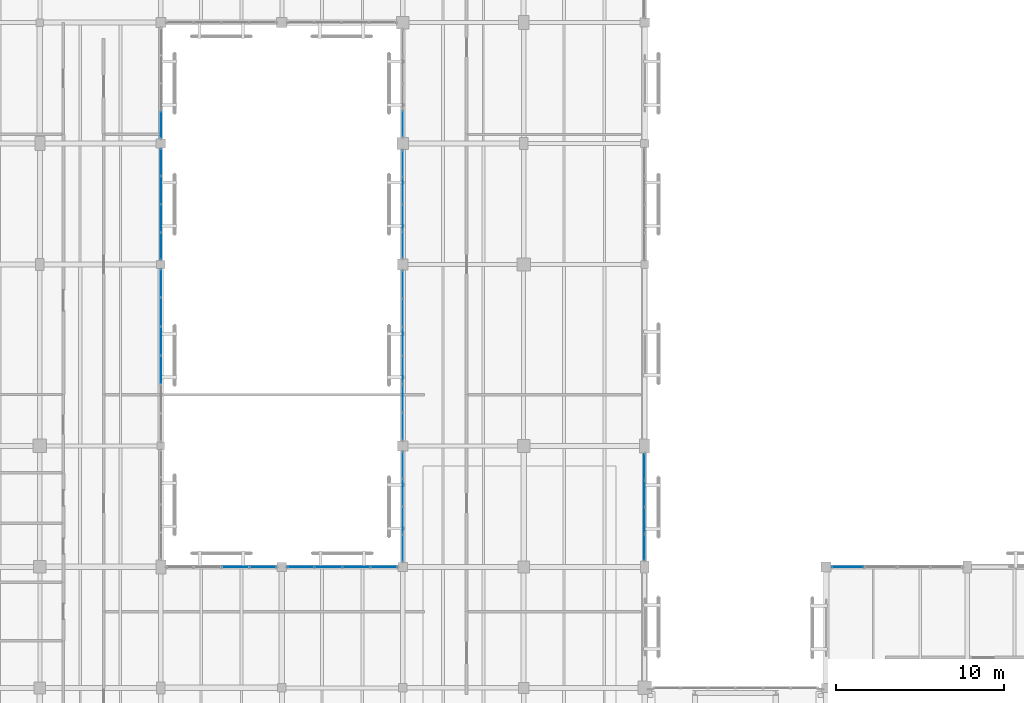
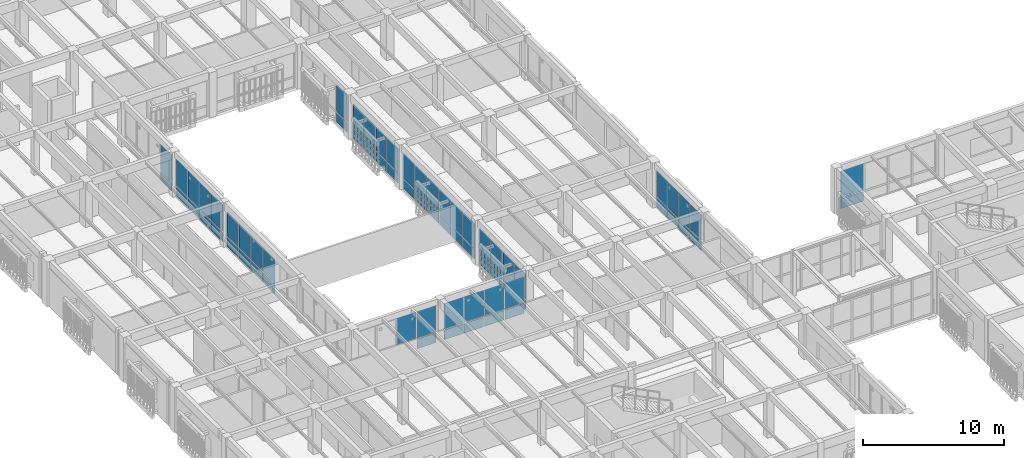
# One storey, part 117 of 170: 69 plates, 11 elements without a shape of their own.
"""IFC4 building model written with IfcOpenShell, lengths in metres."""

from ifc_helpers import new_model, si_unit, direction, frame, origin, origin_2d, place, context, subcontext, project, spatial, rectangle, extrude, material, layer, layer_set, type_object, element, aggregate, save


model = new_model("IFC4")

# Units and contexts
model_context = context("Model", 3, precision=1e-05, world=origin(), true_north=direction((0.0, 1.0)))
body_context = subcontext(model_context, "Body", "Model", "MODEL_VIEW")
ifc_project = project(units=[si_unit("LENGTHUNIT", "METRE"), si_unit("AREAUNIT", "SQUARE_METRE"), si_unit("VOLUMEUNIT", "CUBIC_METRE"), si_unit("PLANEANGLEUNIT", "RADIAN"), si_unit("MASSUNIT", "GRAM", prefix="KILO")], contexts=[model_context])

# Site, building, storey
site_placement = place(None, origin())
site = spatial("IfcSite", under=ifc_project, at=site_placement, CompositionType="ELEMENT")
building_placement = place(site_placement, origin())
building = spatial("IfcBuilding", under=site, at=building_placement, Name="Mazaris Harbour Polytechnic", CompositionType="ELEMENT")
storey_placement = place(building_placement, frame((0.0, 0.0, 5.39990234375)))
storey = spatial("IfcBuildingStorey", under=building, at=storey_placement, Name="L01", CompositionType="ELEMENT", Elevation=5.39990234375)

# Curtain wall, plates
ifc_material_1 = material(Name="Anodised Bronze Aluminium and Low-E Glass", Category="aluminium")
ifc_layer_1 = layer(ifc_material_1, 0.159912109375, Name="Anodised Bronze Aluminium and Low-E Glass")
ifc_layer_set_1 = layer_set([ifc_layer_1], Name="Anodised Bronze Aluminium and Low-E Glass")
curtain_wall_type = type_object("IfcCurtainWallType", Name="Cloister Court Curtain Wall", PredefinedType="NOTDEFINED", material=ifc_layer_set_1)
curtain_wall_1_placement = place(storey_placement, origin())
curtain_wall_1 = element("IfcCurtainWall", 1, at=curtain_wall_1_placement, inside=storey, type_object=curtain_wall_type, Name="V3 L01 Curtain Wall 75", PredefinedType="NOTDEFINED")
ifc_material_2 = material(Name="Low-E Double Glazing", Category="glass")
ifc_layer_2 = layer(ifc_material_2, 0.028076171875, Name="Low-E Double Glazing")
ifc_layer_set_2 = layer_set([ifc_layer_2], Name="Low-E Double Glazing")
plate_type = type_object("IfcPlateType", Name="Low-E Vision Glass Panel 28", PredefinedType="CURTAIN_PANEL", material=ifc_layer_set_2)
plate_1_placement = place(storey_placement, frame((55.295166015625, 36.0, 0.080078125), z_axis=(0.0, 0.0, 1.0), x_axis=(1.0, 0.0, 0.0)))
plate_1 = element("IfcPlate", 2, at=plate_1_placement, type_object=plate_type, Name="CW-02 panel 1.1", PredefinedType="CURTAIN_PANEL", context=body_context, shape_type="SweptSolid", body=[
    extrude(rectangle(XDim=1.846435546875, YDim=0.028076171875, at=origin_2d()), origin(), (0.0, 0.0, 1.0), 0.830078125),
])
plate_2_placement = place(storey_placement, frame((55.295166015625, 36.0, 0.990234375), z_axis=(0.0, 0.0, 1.0), x_axis=(1.0, 0.0, 0.0)))
plate_2 = element("IfcPlate", 3, at=plate_2_placement, type_object=plate_type, Name="CW-02 panel 1.2", PredefinedType="CURTAIN_PANEL", context=body_context, shape_type="SweptSolid", body=[
    extrude(rectangle(XDim=1.846435546875, YDim=0.028076171875, at=origin_2d()), origin(), (0.0, 0.0, 1.0), 2.320068359375),
])
aggregate(curtain_wall_1, [plate_1, plate_2])

curtain_wall_2_placement = place(storey_placement, origin())
curtain_wall_2 = element("IfcCurtainWall", 4, at=curtain_wall_2_placement, inside=storey, type_object=curtain_wall_type, Name="V4 L01 Curtain Wall 112", PredefinedType="NOTDEFINED")
plate_3_placement = place(storey_placement, frame((43.199951171875, 41.957763671875, 0.080078125), z_axis=(0.0, 0.0, 1.0), x_axis=(0.0, -1.0, 0.0)))
plate_3 = element("IfcPlate", 5, at=plate_3_placement, type_object=plate_type, Name="CW-02 panel 1.1", PredefinedType="CURTAIN_PANEL", context=body_context, shape_type="SweptSolid", body=[
    extrude(rectangle(XDim=1.490234375, YDim=0.028076171875, at=origin_2d()), origin(), (0.0, 0.0, 1.0), 0.830078125),
])
plate_4_placement = place(storey_placement, frame((43.199951171875, 41.957763671875, 0.989990234375), z_axis=(0.0, 0.0, 1.0), x_axis=(0.0, -1.0, 0.0)))
plate_4 = element("IfcPlate", 6, at=plate_4_placement, type_object=plate_type, Name="CW-02 panel 1.2", PredefinedType="CURTAIN_PANEL", context=body_context, shape_type="SweptSolid", body=[
    extrude(rectangle(XDim=1.490234375, YDim=0.028076171875, at=origin_2d()), origin(), (0.0, 0.0, 1.0), 2.22998046875),
])
plate_5_placement = place(storey_placement, frame((43.199951171875, 40.36767578125, 0.080078125), z_axis=(0.0, 0.0, 1.0), x_axis=(0.0, -1.0, 0.0)))
plate_5 = element("IfcPlate", 7, at=plate_5_placement, type_object=plate_type, Name="CW-02 panel 2.1", PredefinedType="CURTAIN_PANEL", context=body_context, shape_type="SweptSolid", body=[
    extrude(rectangle(XDim=1.5302734375, YDim=0.028076171875, at=origin_2d()), origin(), (0.0, 0.0, 1.0), 0.830078125),
])
plate_6_placement = place(storey_placement, frame((43.199951171875, 40.36767578125, 0.989990234375), z_axis=(0.0, 0.0, 1.0), x_axis=(0.0, -1.0, 0.0)))
plate_6 = element("IfcPlate", 8, at=plate_6_placement, type_object=plate_type, Name="CW-02 panel 2.2", PredefinedType="CURTAIN_PANEL", context=body_context, shape_type="SweptSolid", body=[
    extrude(rectangle(XDim=1.5302734375, YDim=0.028076171875, at=origin_2d()), origin(), (0.0, 0.0, 1.0), 2.22998046875),
])
plate_7_placement = place(storey_placement, frame((43.199951171875, 38.75732421875, 0.080078125), z_axis=(0.0, 0.0, 1.0), x_axis=(0.0, -1.0, 0.0)))
plate_7 = element("IfcPlate", 9, at=plate_7_placement, type_object=plate_type, Name="CW-02 panel 3.1", PredefinedType="CURTAIN_PANEL", context=body_context, shape_type="SweptSolid", body=[
    extrude(rectangle(XDim=1.5302734375, YDim=0.028076171875, at=origin_2d()), origin(), (0.0, 0.0, 1.0), 0.830078125),
])
plate_8_placement = place(storey_placement, frame((43.199951171875, 38.75732421875, 0.989990234375), z_axis=(0.0, 0.0, 1.0), x_axis=(0.0, -1.0, 0.0)))
plate_8 = element("IfcPlate", 10, at=plate_8_placement, type_object=plate_type, Name="CW-02 panel 3.2", PredefinedType="CURTAIN_PANEL", context=body_context, shape_type="SweptSolid", body=[
    extrude(rectangle(XDim=1.5302734375, YDim=0.028076171875, at=origin_2d()), origin(), (0.0, 0.0, 1.0), 2.22998046875),
])
plate_9_placement = place(storey_placement, frame((43.199951171875, 37.167236328125, 0.080078125), z_axis=(0.0, 0.0, 1.0), x_axis=(0.0, -1.0, 0.0)))
plate_9 = element("IfcPlate", 11, at=plate_9_placement, type_object=plate_type, Name="CW-02 panel 4.1", PredefinedType="CURTAIN_PANEL", context=body_context, shape_type="SweptSolid", body=[
    extrude(rectangle(XDim=1.490234375, YDim=0.028076171875, at=origin_2d()), origin(), (0.0, 0.0, 1.0), 0.830078125),
])
plate_10_placement = place(storey_placement, frame((43.199951171875, 37.167236328125, 0.989990234375), z_axis=(0.0, 0.0, 1.0), x_axis=(0.0, -1.0, 0.0)))
plate_10 = element("IfcPlate", 12, at=plate_10_placement, type_object=plate_type, Name="CW-02 panel 4.2", PredefinedType="CURTAIN_PANEL", context=body_context, shape_type="SweptSolid", body=[
    extrude(rectangle(XDim=1.490234375, YDim=0.028076171875, at=origin_2d()), origin(), (0.0, 0.0, 1.0), 2.22998046875),
])
aggregate(curtain_wall_2, [plate_3, plate_4, plate_5, plate_6, plate_7, plate_8, plate_9, plate_10])

curtain_wall_3_placement = place(storey_placement, origin())
curtain_wall_3 = element("IfcCurtainWall", 13, at=curtain_wall_3_placement, inside=storey, type_object=curtain_wall_type, Name="V4 L01 Curtain Wall 116", PredefinedType="NOTDEFINED")
plate_11_placement = place(storey_placement, frame((18.842529296875, 36.0, 0.989990234375), z_axis=(0.0, 0.0, 1.0), x_axis=(1.0, 0.0, 0.0)))
plate_11 = element("IfcPlate", 14, at=plate_11_placement, type_object=plate_type, Name="CW-02 panel 3.2", PredefinedType="CURTAIN_PANEL", context=body_context, shape_type="SweptSolid", body=[
    extrude(rectangle(XDim=1.580322265625, YDim=0.028076171875, at=origin_2d()), origin(), (0.0, 0.0, 1.0), 2.2900390625),
])
plate_12_placement = place(storey_placement, frame((20.48291015625, 36.0, 0.080078125), z_axis=(0.0, 0.0, 1.0), x_axis=(1.0, 0.0, 0.0)))
plate_12 = element("IfcPlate", 15, at=plate_12_placement, type_object=plate_type, Name="CW-02 panel 4.1", PredefinedType="CURTAIN_PANEL", context=body_context, shape_type="SweptSolid", body=[
    extrude(rectangle(XDim=1.540283203125, YDim=0.028076171875, at=origin_2d()), origin(), (0.0, 0.0, 1.0), 0.830078125),
])
plate_13_placement = place(storey_placement, frame((20.48291015625, 36.0, 0.989990234375), z_axis=(0.0, 0.0, 1.0), x_axis=(1.0, 0.0, 0.0)))
plate_13 = element("IfcPlate", 16, at=plate_13_placement, type_object=plate_type, Name="CW-02 panel 4.2", PredefinedType="CURTAIN_PANEL", context=body_context, shape_type="SweptSolid", body=[
    extrude(rectangle(XDim=1.540283203125, YDim=0.028076171875, at=origin_2d()), origin(), (0.0, 0.0, 1.0), 2.2900390625),
])
aggregate(curtain_wall_3, [plate_11, plate_12, plate_13])

curtain_wall_4_placement = place(storey_placement, origin())
curtain_wall_4 = element("IfcCurtainWall", 17, at=curtain_wall_4_placement, inside=storey, type_object=curtain_wall_type, Name="V4 L01 Curtain Wall 117", PredefinedType="NOTDEFINED")
plate_14_placement = place(storey_placement, frame((22.72021484375, 36.0, 0.080078125), z_axis=(0.0, 0.0, 1.0), x_axis=(1.0, 0.0, 0.0)))
plate_14 = element("IfcPlate", 18, at=plate_14_placement, type_object=plate_type, Name="CW-02 panel 1.1", PredefinedType="CURTAIN_PANEL", context=body_context, shape_type="SweptSolid", body=[
    extrude(rectangle(XDim=1.54638671875, YDim=0.028076171875, at=origin_2d()), origin(), (0.0, 0.0, 1.0), 0.830078125),
])
plate_15_placement = place(storey_placement, frame((22.72021484375, 36.0, 0.989990234375), z_axis=(0.0, 0.0, 1.0), x_axis=(1.0, 0.0, 0.0)))
plate_15 = element("IfcPlate", 19, at=plate_15_placement, type_object=plate_type, Name="CW-02 panel 1.2", PredefinedType="CURTAIN_PANEL", context=body_context, shape_type="SweptSolid", body=[
    extrude(rectangle(XDim=1.54638671875, YDim=0.028076171875, at=origin_2d()), origin(), (0.0, 0.0, 1.0), 2.22998046875),
])
plate_16_placement = place(storey_placement, frame((24.36669921875, 36.0, 0.080078125), z_axis=(0.0, 0.0, 1.0), x_axis=(1.0, 0.0, 0.0)))
plate_16 = element("IfcPlate", 20, at=plate_16_placement, type_object=plate_type, Name="CW-02 panel 2.1", PredefinedType="CURTAIN_PANEL", context=body_context, shape_type="SweptSolid", body=[
    extrude(rectangle(XDim=1.58642578125, YDim=0.028076171875, at=origin_2d()), origin(), (0.0, 0.0, 1.0), 0.830078125),
])
plate_17_placement = place(storey_placement, frame((24.36669921875, 36.0, 0.989990234375), z_axis=(0.0, 0.0, 1.0), x_axis=(1.0, 0.0, 0.0)))
plate_17 = element("IfcPlate", 21, at=plate_17_placement, type_object=plate_type, Name="CW-02 panel 2.2", PredefinedType="CURTAIN_PANEL", context=body_context, shape_type="SweptSolid", body=[
    extrude(rectangle(XDim=1.58642578125, YDim=0.028076171875, at=origin_2d()), origin(), (0.0, 0.0, 1.0), 2.22998046875),
])
plate_18_placement = place(storey_placement, frame((26.033203125, 36.0, 0.080078125), z_axis=(0.0, 0.0, 1.0), x_axis=(1.0, 0.0, 0.0)))
plate_18 = element("IfcPlate", 22, at=plate_18_placement, type_object=plate_type, Name="CW-02 panel 3.1", PredefinedType="CURTAIN_PANEL", context=body_context, shape_type="SweptSolid", body=[
    extrude(rectangle(XDim=1.58642578125, YDim=0.028076171875, at=origin_2d()), origin(), (0.0, 0.0, 1.0), 0.830078125),
])
plate_19_placement = place(storey_placement, frame((26.033203125, 36.0, 0.989990234375), z_axis=(0.0, 0.0, 1.0), x_axis=(1.0, 0.0, 0.0)))
plate_19 = element("IfcPlate", 23, at=plate_19_placement, type_object=plate_type, Name="CW-02 panel 3.2", PredefinedType="CURTAIN_PANEL", context=body_context, shape_type="SweptSolid", body=[
    extrude(rectangle(XDim=1.58642578125, YDim=0.028076171875, at=origin_2d()), origin(), (0.0, 0.0, 1.0), 2.22998046875),
])
plate_20_placement = place(storey_placement, frame((27.6796875, 36.0, 0.080078125), z_axis=(0.0, 0.0, 1.0), x_axis=(1.0, 0.0, 0.0)))
plate_20 = element("IfcPlate", 24, at=plate_20_placement, type_object=plate_type, Name="CW-02 panel 4.1", PredefinedType="CURTAIN_PANEL", context=body_context, shape_type="SweptSolid", body=[
    extrude(rectangle(XDim=1.54638671875, YDim=0.028076171875, at=origin_2d()), origin(), (0.0, 0.0, 1.0), 0.830078125),
])
plate_21_placement = place(storey_placement, frame((27.6796875, 36.0, 0.989990234375), z_axis=(0.0, 0.0, 1.0), x_axis=(1.0, 0.0, 0.0)))
plate_21 = element("IfcPlate", 25, at=plate_21_placement, type_object=plate_type, Name="CW-02 panel 4.2", PredefinedType="CURTAIN_PANEL", context=body_context, shape_type="SweptSolid", body=[
    extrude(rectangle(XDim=1.54638671875, YDim=0.028076171875, at=origin_2d()), origin(), (0.0, 0.0, 1.0), 2.22998046875),
])
aggregate(curtain_wall_4, [plate_14, plate_15, plate_16, plate_17, plate_18, plate_19, plate_20, plate_21])

curtain_wall_5_placement = place(storey_placement, origin())
curtain_wall_5 = element("IfcCurtainWall", 26, at=curtain_wall_5_placement, inside=storey, type_object=curtain_wall_type, Name="V4 L01 Curtain Wall 121", PredefinedType="NOTDEFINED")
plate_22_placement = place(storey_placement, frame((14.39990234375, 47.725830078125, 0.080078125), z_axis=(0.0, 0.0, 1.0), x_axis=(0.0, 1.0, 0.0)))
plate_22 = element("IfcPlate", 27, at=plate_22_placement, type_object=plate_type, Name="CW-02 panel 3.1", PredefinedType="CURTAIN_PANEL", context=body_context, shape_type="SweptSolid", body=[
    extrude(rectangle(XDim=1.6435546875, YDim=0.028076171875, at=origin_2d()), origin(), (0.0, 0.0, 1.0), 0.830078125),
])
plate_23_placement = place(storey_placement, frame((14.39990234375, 47.725830078125, 0.990234375), z_axis=(0.0, 0.0, 1.0), x_axis=(0.0, 1.0, 0.0)))
plate_23 = element("IfcPlate", 28, at=plate_23_placement, type_object=plate_type, Name="CW-02 panel 3.2", PredefinedType="CURTAIN_PANEL", context=body_context, shape_type="SweptSolid", body=[
    extrude(rectangle(XDim=1.6435546875, YDim=0.028076171875, at=origin_2d()), origin(), (0.0, 0.0, 1.0), 2.070068359375),
])
plate_24_placement = place(storey_placement, frame((14.39990234375, 49.44921875, 0.080078125), z_axis=(0.0, 0.0, 1.0), x_axis=(0.0, 1.0, 0.0)))
plate_24 = element("IfcPlate", 29, at=plate_24_placement, type_object=plate_type, Name="CW-02 panel 4.1", PredefinedType="CURTAIN_PANEL", context=body_context, shape_type="SweptSolid", body=[
    extrude(rectangle(XDim=1.6435546875, YDim=0.028076171875, at=origin_2d()), origin(), (0.0, 0.0, 1.0), 0.830078125),
])
plate_25_placement = place(storey_placement, frame((14.39990234375, 49.44921875, 0.990234375), z_axis=(0.0, 0.0, 1.0), x_axis=(0.0, 1.0, 0.0)))
plate_25 = element("IfcPlate", 30, at=plate_25_placement, type_object=plate_type, Name="CW-02 panel 4.2", PredefinedType="CURTAIN_PANEL", context=body_context, shape_type="SweptSolid", body=[
    extrude(rectangle(XDim=1.6435546875, YDim=0.028076171875, at=origin_2d()), origin(), (0.0, 0.0, 1.0), 2.070068359375),
])
plate_26_placement = place(storey_placement, frame((14.39990234375, 51.1728515625, 0.080078125), z_axis=(0.0, 0.0, 1.0), x_axis=(0.0, 1.0, 0.0)))
plate_26 = element("IfcPlate", 31, at=plate_26_placement, type_object=plate_type, Name="CW-02 panel 5.1", PredefinedType="CURTAIN_PANEL", context=body_context, shape_type="SweptSolid", body=[
    extrude(rectangle(XDim=1.6435546875, YDim=0.028076171875, at=origin_2d()), origin(), (0.0, 0.0, 1.0), 0.830078125),
])
plate_27_placement = place(storey_placement, frame((14.39990234375, 51.1728515625, 0.990234375), z_axis=(0.0, 0.0, 1.0), x_axis=(0.0, 1.0, 0.0)))
plate_27 = element("IfcPlate", 32, at=plate_27_placement, type_object=plate_type, Name="CW-02 panel 5.2", PredefinedType="CURTAIN_PANEL", context=body_context, shape_type="SweptSolid", body=[
    extrude(rectangle(XDim=1.6435546875, YDim=0.028076171875, at=origin_2d()), origin(), (0.0, 0.0, 1.0), 2.070068359375),
])
plate_28_placement = place(storey_placement, frame((14.39990234375, 52.876220703125, 0.080078125), z_axis=(0.0, 0.0, 1.0), x_axis=(0.0, 1.0, 0.0)))
plate_28 = element("IfcPlate", 33, at=plate_28_placement, type_object=plate_type, Name="CW-02 panel 6.1", PredefinedType="CURTAIN_PANEL", context=body_context, shape_type="SweptSolid", body=[
    extrude(rectangle(XDim=1.603515625, YDim=0.028076171875, at=origin_2d()), origin(), (0.0, 0.0, 1.0), 0.830078125),
])
plate_29_placement = place(storey_placement, frame((14.39990234375, 52.876220703125, 0.990234375), z_axis=(0.0, 0.0, 1.0), x_axis=(0.0, 1.0, 0.0)))
plate_29 = element("IfcPlate", 34, at=plate_29_placement, type_object=plate_type, Name="CW-02 panel 6.2", PredefinedType="CURTAIN_PANEL", context=body_context, shape_type="SweptSolid", body=[
    extrude(rectangle(XDim=1.603515625, YDim=0.028076171875, at=origin_2d()), origin(), (0.0, 0.0, 1.0), 2.070068359375),
])
aggregate(curtain_wall_5, [plate_22, plate_23, plate_24, plate_25, plate_26, plate_27, plate_28, plate_29])

curtain_wall_6_placement = place(storey_placement, origin())
curtain_wall_6 = element("IfcCurtainWall", 35, at=curtain_wall_6_placement, inside=storey, type_object=curtain_wall_type, Name="V4 L01 Curtain Wall 122", PredefinedType="NOTDEFINED")
plate_30_placement = place(storey_placement, frame((14.39990234375, 55.098388671875, 0.080078125), z_axis=(0.0, 0.0, 1.0), x_axis=(0.0, 1.0, 0.0)))
plate_30 = element("IfcPlate", 36, at=plate_30_placement, type_object=plate_type, Name="CW-02 panel 1.1", PredefinedType="CURTAIN_PANEL", context=body_context, shape_type="SweptSolid", body=[
    extrude(rectangle(XDim=1.552734375, YDim=0.028076171875, at=origin_2d()), origin(), (0.0, 0.0, 1.0), 0.830078125),
])
plate_31_placement = place(storey_placement, frame((14.39990234375, 55.098388671875, 0.989990234375), z_axis=(0.0, 0.0, 1.0), x_axis=(0.0, 1.0, 0.0)))
plate_31 = element("IfcPlate", 37, at=plate_31_placement, type_object=plate_type, Name="CW-02 panel 1.2", PredefinedType="CURTAIN_PANEL", context=body_context, shape_type="SweptSolid", body=[
    extrude(rectangle(XDim=1.552734375, YDim=0.028076171875, at=origin_2d()), origin(), (0.0, 0.0, 1.0), 2.2900390625),
])
plate_32_placement = place(storey_placement, frame((14.39990234375, 56.751220703125, 0.080078125), z_axis=(0.0, 0.0, 1.0), x_axis=(0.0, 1.0, 0.0)))
plate_32 = element("IfcPlate", 38, at=plate_32_placement, type_object=plate_type, Name="CW-02 panel 2.1", PredefinedType="CURTAIN_PANEL", context=body_context, shape_type="SweptSolid", body=[
    extrude(rectangle(XDim=1.5927734375, YDim=0.028076171875, at=origin_2d()), origin(), (0.0, 0.0, 1.0), 0.830078125),
])
plate_33_placement = place(storey_placement, frame((14.39990234375, 56.751220703125, 0.989990234375), z_axis=(0.0, 0.0, 1.0), x_axis=(0.0, 1.0, 0.0)))
plate_33 = element("IfcPlate", 39, at=plate_33_placement, type_object=plate_type, Name="CW-02 panel 2.2", PredefinedType="CURTAIN_PANEL", context=body_context, shape_type="SweptSolid", body=[
    extrude(rectangle(XDim=1.5927734375, YDim=0.028076171875, at=origin_2d()), origin(), (0.0, 0.0, 1.0), 2.2900390625),
])
plate_34_placement = place(storey_placement, frame((14.39990234375, 58.423828125, 0.080078125), z_axis=(0.0, 0.0, 1.0), x_axis=(0.0, 1.0, 0.0)))
plate_34 = element("IfcPlate", 40, at=plate_34_placement, type_object=plate_type, Name="CW-02 panel 3.1", PredefinedType="CURTAIN_PANEL", context=body_context, shape_type="SweptSolid", body=[
    extrude(rectangle(XDim=1.5927734375, YDim=0.028076171875, at=origin_2d()), origin(), (0.0, 0.0, 1.0), 0.830078125),
])
plate_35_placement = place(storey_placement, frame((14.39990234375, 58.423828125, 0.989990234375), z_axis=(0.0, 0.0, 1.0), x_axis=(0.0, 1.0, 0.0)))
plate_35 = element("IfcPlate", 41, at=plate_35_placement, type_object=plate_type, Name="CW-02 panel 3.2", PredefinedType="CURTAIN_PANEL", context=body_context, shape_type="SweptSolid", body=[
    extrude(rectangle(XDim=1.5927734375, YDim=0.028076171875, at=origin_2d()), origin(), (0.0, 0.0, 1.0), 2.2900390625),
])
plate_36_placement = place(storey_placement, frame((14.39990234375, 60.07666015625, 0.080078125), z_axis=(0.0, 0.0, 1.0), x_axis=(0.0, 1.0, 0.0)))
plate_36 = element("IfcPlate", 42, at=plate_36_placement, type_object=plate_type, Name="CW-02 panel 4.1", PredefinedType="CURTAIN_PANEL", context=body_context, shape_type="SweptSolid", body=[
    extrude(rectangle(XDim=1.552734375, YDim=0.028076171875, at=origin_2d()), origin(), (0.0, 0.0, 1.0), 0.830078125),
])
plate_37_placement = place(storey_placement, frame((14.39990234375, 60.07666015625, 0.989990234375), z_axis=(0.0, 0.0, 1.0), x_axis=(0.0, 1.0, 0.0)))
plate_37 = element("IfcPlate", 43, at=plate_37_placement, type_object=plate_type, Name="CW-02 panel 4.2", PredefinedType="CURTAIN_PANEL", context=body_context, shape_type="SweptSolid", body=[
    extrude(rectangle(XDim=1.552734375, YDim=0.028076171875, at=origin_2d()), origin(), (0.0, 0.0, 1.0), 2.2900390625),
])
aggregate(curtain_wall_6, [plate_30, plate_31, plate_32, plate_33, plate_34, plate_35, plate_36, plate_37])

curtain_wall_7_placement = place(storey_placement, origin())
curtain_wall_7 = element("IfcCurtainWall", 44, at=curtain_wall_7_placement, inside=storey, type_object=curtain_wall_type, Name="V4 L01 Curtain Wall 123", PredefinedType="NOTDEFINED")
plate_38_placement = place(storey_placement, frame((14.39990234375, 62.317138671875, 0.080078125), z_axis=(0.0, 0.0, 1.0), x_axis=(0.0, 1.0, 0.0)))
plate_38 = element("IfcPlate", 45, at=plate_38_placement, type_object=plate_type, Name="CW-02 panel 1.1", PredefinedType="CURTAIN_PANEL", context=body_context, shape_type="SweptSolid", body=[
    extrude(rectangle(XDim=1.540283203125, YDim=0.028076171875, at=origin_2d()), origin(), (0.0, 0.0, 1.0), 0.830078125),
])
plate_39_placement = place(storey_placement, frame((14.39990234375, 62.317138671875, 0.989990234375), z_axis=(0.0, 0.0, 1.0), x_axis=(0.0, 1.0, 0.0)))
plate_39 = element("IfcPlate", 46, at=plate_39_placement, type_object=plate_type, Name="CW-02 panel 1.2", PredefinedType="CURTAIN_PANEL", context=body_context, shape_type="SweptSolid", body=[
    extrude(rectangle(XDim=1.540283203125, YDim=0.028076171875, at=origin_2d()), origin(), (0.0, 0.0, 1.0), 2.22998046875),
])
aggregate(curtain_wall_7, [plate_38, plate_39])

curtain_wall_8_placement = place(storey_placement, origin())
curtain_wall_8 = element("IfcCurtainWall", 47, at=curtain_wall_8_placement, inside=storey, type_object=curtain_wall_type, Name="V4 L01 Curtain Wall 124", PredefinedType="NOTDEFINED")
plate_40_placement = place(storey_placement, frame((28.800048828125, 42.057861328125, 0.080078125), z_axis=(0.0, 0.0, 1.0), x_axis=(0.0, -1.0, 0.0)))
plate_40 = element("IfcPlate", 48, at=plate_40_placement, type_object=plate_type, Name="CW-02 panel 1.1", PredefinedType="CURTAIN_PANEL", context=body_context, shape_type="SweptSolid", body=[
    extrude(rectangle(XDim=1.540283203125, YDim=0.028076171875, at=origin_2d()), origin(), (0.0, 0.0, 1.0), 0.830078125),
])
plate_41_placement = place(storey_placement, frame((28.800048828125, 42.057861328125, 0.990234375), z_axis=(0.0, 0.0, 1.0), x_axis=(0.0, -1.0, 0.0)))
plate_41 = element("IfcPlate", 49, at=plate_41_placement, type_object=plate_type, Name="CW-02 panel 1.2", PredefinedType="CURTAIN_PANEL", context=body_context, shape_type="SweptSolid", body=[
    extrude(rectangle(XDim=1.540283203125, YDim=0.028076171875, at=origin_2d()), origin(), (0.0, 0.0, 1.0), 2.169921875),
])
plate_42_placement = place(storey_placement, frame((28.800048828125, 40.417724609375, 0.080078125), z_axis=(0.0, 0.0, 1.0), x_axis=(0.0, -1.0, 0.0)))
plate_42 = element("IfcPlate", 50, at=plate_42_placement, type_object=plate_type, Name="CW-02 panel 2.1", PredefinedType="CURTAIN_PANEL", context=body_context, shape_type="SweptSolid", body=[
    extrude(rectangle(XDim=1.580322265625, YDim=0.028076171875, at=origin_2d()), origin(), (0.0, 0.0, 1.0), 0.830078125),
])
plate_43_placement = place(storey_placement, frame((28.800048828125, 40.417724609375, 0.990234375), z_axis=(0.0, 0.0, 1.0), x_axis=(0.0, -1.0, 0.0)))
plate_43 = element("IfcPlate", 51, at=plate_43_placement, type_object=plate_type, Name="CW-02 panel 2.2", PredefinedType="CURTAIN_PANEL", context=body_context, shape_type="SweptSolid", body=[
    extrude(rectangle(XDim=1.580322265625, YDim=0.028076171875, at=origin_2d()), origin(), (0.0, 0.0, 1.0), 2.169921875),
])
plate_44_placement = place(storey_placement, frame((28.800048828125, 38.75732421875, 0.080078125), z_axis=(0.0, 0.0, 1.0), x_axis=(0.0, -1.0, 0.0)))
plate_44 = element("IfcPlate", 52, at=plate_44_placement, type_object=plate_type, Name="CW-02 panel 3.1", PredefinedType="CURTAIN_PANEL", context=body_context, shape_type="SweptSolid", body=[
    extrude(rectangle(XDim=1.580322265625, YDim=0.028076171875, at=origin_2d()), origin(), (0.0, 0.0, 1.0), 0.830078125),
])
plate_45_placement = place(storey_placement, frame((28.800048828125, 38.75732421875, 0.990234375), z_axis=(0.0, 0.0, 1.0), x_axis=(0.0, -1.0, 0.0)))
plate_45 = element("IfcPlate", 53, at=plate_45_placement, type_object=plate_type, Name="CW-02 panel 3.2", PredefinedType="CURTAIN_PANEL", context=body_context, shape_type="SweptSolid", body=[
    extrude(rectangle(XDim=1.580322265625, YDim=0.028076171875, at=origin_2d()), origin(), (0.0, 0.0, 1.0), 2.169921875),
])
plate_46_placement = place(storey_placement, frame((28.800048828125, 37.1171875, 0.080078125), z_axis=(0.0, 0.0, 1.0), x_axis=(0.0, -1.0, 0.0)))
plate_46 = element("IfcPlate", 54, at=plate_46_placement, type_object=plate_type, Name="CW-02 panel 4.1", PredefinedType="CURTAIN_PANEL", context=body_context, shape_type="SweptSolid", body=[
    extrude(rectangle(XDim=1.540283203125, YDim=0.028076171875, at=origin_2d()), origin(), (0.0, 0.0, 1.0), 0.830078125),
])
plate_47_placement = place(storey_placement, frame((28.800048828125, 37.1171875, 0.990234375), z_axis=(0.0, 0.0, 1.0), x_axis=(0.0, -1.0, 0.0)))
plate_47 = element("IfcPlate", 55, at=plate_47_placement, type_object=plate_type, Name="CW-02 panel 4.2", PredefinedType="CURTAIN_PANEL", context=body_context, shape_type="SweptSolid", body=[
    extrude(rectangle(XDim=1.540283203125, YDim=0.028076171875, at=origin_2d()), origin(), (0.0, 0.0, 1.0), 2.169921875),
])
aggregate(curtain_wall_8, [plate_40, plate_41, plate_42, plate_43, plate_44, plate_45, plate_46, plate_47])

curtain_wall_9_placement = place(storey_placement, origin())
curtain_wall_9 = element("IfcCurtainWall", 56, at=curtain_wall_9_placement, inside=storey, type_object=curtain_wall_type, Name="V4 L01 Curtain Wall 125", PredefinedType="NOTDEFINED")
plate_48_placement = place(storey_placement, frame((28.800048828125, 52.813720703125, 0.080078125), z_axis=(0.0, 0.0, 1.0), x_axis=(0.0, -1.0, 0.0)))
plate_48 = element("IfcPlate", 57, at=plate_48_placement, type_object=plate_type, Name="CW-02 panel 1.1", PredefinedType="CURTAIN_PANEL", context=body_context, shape_type="SweptSolid", body=[
    extrude(rectangle(XDim=1.57861328125, YDim=0.028076171875, at=origin_2d()), origin(), (0.0, 0.0, 1.0), 0.830078125),
])
plate_49_placement = place(storey_placement, frame((28.800048828125, 52.813720703125, 0.990234375), z_axis=(0.0, 0.0, 1.0), x_axis=(0.0, -1.0, 0.0)))
plate_49 = element("IfcPlate", 58, at=plate_49_placement, type_object=plate_type, Name="CW-02 panel 1.2", PredefinedType="CURTAIN_PANEL", context=body_context, shape_type="SweptSolid", body=[
    extrude(rectangle(XDim=1.57861328125, YDim=0.028076171875, at=origin_2d()), origin(), (0.0, 0.0, 1.0), 2.1298828125),
])
plate_50_placement = place(storey_placement, frame((28.800048828125, 51.13525390625, 0.080078125), z_axis=(0.0, 0.0, 1.0), x_axis=(0.0, -1.0, 0.0)))
plate_50 = element("IfcPlate", 59, at=plate_50_placement, type_object=plate_type, Name="CW-02 panel 2.1", PredefinedType="CURTAIN_PANEL", context=body_context, shape_type="SweptSolid", body=[
    extrude(rectangle(XDim=1.618408203125, YDim=0.028076171875, at=origin_2d()), origin(), (0.0, 0.0, 1.0), 0.830078125),
])
plate_51_placement = place(storey_placement, frame((28.800048828125, 51.13525390625, 0.990234375), z_axis=(0.0, 0.0, 1.0), x_axis=(0.0, -1.0, 0.0)))
plate_51 = element("IfcPlate", 60, at=plate_51_placement, type_object=plate_type, Name="CW-02 panel 2.2", PredefinedType="CURTAIN_PANEL", context=body_context, shape_type="SweptSolid", body=[
    extrude(rectangle(XDim=1.618408203125, YDim=0.028076171875, at=origin_2d()), origin(), (0.0, 0.0, 1.0), 2.1298828125),
])
plate_52_placement = place(storey_placement, frame((28.800048828125, 49.436767578125, 0.080078125), z_axis=(0.0, 0.0, 1.0), x_axis=(0.0, -1.0, 0.0)))
plate_52 = element("IfcPlate", 61, at=plate_52_placement, type_object=plate_type, Name="CW-02 panel 3.1", PredefinedType="CURTAIN_PANEL", context=body_context, shape_type="SweptSolid", body=[
    extrude(rectangle(XDim=1.618408203125, YDim=0.028076171875, at=origin_2d()), origin(), (0.0, 0.0, 1.0), 0.830078125),
])
plate_53_placement = place(storey_placement, frame((28.800048828125, 49.436767578125, 0.990234375), z_axis=(0.0, 0.0, 1.0), x_axis=(0.0, -1.0, 0.0)))
plate_53 = element("IfcPlate", 62, at=plate_53_placement, type_object=plate_type, Name="CW-02 panel 3.2", PredefinedType="CURTAIN_PANEL", context=body_context, shape_type="SweptSolid", body=[
    extrude(rectangle(XDim=1.618408203125, YDim=0.028076171875, at=origin_2d()), origin(), (0.0, 0.0, 1.0), 2.1298828125),
])
plate_54_placement = place(storey_placement, frame((28.800048828125, 47.73828125, 0.080078125), z_axis=(0.0, 0.0, 1.0), x_axis=(0.0, -1.0, 0.0)))
plate_54 = element("IfcPlate", 63, at=plate_54_placement, type_object=plate_type, Name="CW-02 panel 4.1", PredefinedType="CURTAIN_PANEL", context=body_context, shape_type="SweptSolid", body=[
    extrude(rectangle(XDim=1.618408203125, YDim=0.028076171875, at=origin_2d()), origin(), (0.0, 0.0, 1.0), 0.830078125),
])
plate_55_placement = place(storey_placement, frame((28.800048828125, 47.73828125, 0.990234375), z_axis=(0.0, 0.0, 1.0), x_axis=(0.0, -1.0, 0.0)))
plate_55 = element("IfcPlate", 64, at=plate_55_placement, type_object=plate_type, Name="CW-02 panel 4.2", PredefinedType="CURTAIN_PANEL", context=body_context, shape_type="SweptSolid", body=[
    extrude(rectangle(XDim=1.618408203125, YDim=0.028076171875, at=origin_2d()), origin(), (0.0, 0.0, 1.0), 2.1298828125),
])
plate_56_placement = place(storey_placement, frame((28.800048828125, 46.039794921875, 0.080078125), z_axis=(0.0, 0.0, 1.0), x_axis=(0.0, -1.0, 0.0)))
plate_56 = element("IfcPlate", 65, at=plate_56_placement, type_object=plate_type, Name="CW-02 panel 5.1", PredefinedType="CURTAIN_PANEL", context=body_context, shape_type="SweptSolid", body=[
    extrude(rectangle(XDim=1.618408203125, YDim=0.028076171875, at=origin_2d()), origin(), (0.0, 0.0, 1.0), 0.830078125),
])
plate_57_placement = place(storey_placement, frame((28.800048828125, 46.039794921875, 0.990234375), z_axis=(0.0, 0.0, 1.0), x_axis=(0.0, -1.0, 0.0)))
plate_57 = element("IfcPlate", 66, at=plate_57_placement, type_object=plate_type, Name="CW-02 panel 5.2", PredefinedType="CURTAIN_PANEL", context=body_context, shape_type="SweptSolid", body=[
    extrude(rectangle(XDim=1.618408203125, YDim=0.028076171875, at=origin_2d()), origin(), (0.0, 0.0, 1.0), 2.1298828125),
])
plate_58_placement = place(storey_placement, frame((28.800048828125, 44.361328125, 0.080078125), z_axis=(0.0, 0.0, 1.0), x_axis=(0.0, -1.0, 0.0)))
plate_58 = element("IfcPlate", 67, at=plate_58_placement, type_object=plate_type, Name="CW-02 panel 6.1", PredefinedType="CURTAIN_PANEL", context=body_context, shape_type="SweptSolid", body=[
    extrude(rectangle(XDim=1.57861328125, YDim=0.028076171875, at=origin_2d()), origin(), (0.0, 0.0, 1.0), 0.830078125),
])
plate_59_placement = place(storey_placement, frame((28.800048828125, 44.361328125, 0.990234375), z_axis=(0.0, 0.0, 1.0), x_axis=(0.0, -1.0, 0.0)))
plate_59 = element("IfcPlate", 68, at=plate_59_placement, type_object=plate_type, Name="CW-02 panel 6.2", PredefinedType="CURTAIN_PANEL", context=body_context, shape_type="SweptSolid", body=[
    extrude(rectangle(XDim=1.57861328125, YDim=0.028076171875, at=origin_2d()), origin(), (0.0, 0.0, 1.0), 2.1298828125),
])
aggregate(curtain_wall_9, [plate_48, plate_49, plate_50, plate_51, plate_52, plate_53, plate_54, plate_55, plate_56, plate_57, plate_58, plate_59])

curtain_wall_10_placement = place(storey_placement, origin())
curtain_wall_10 = element("IfcCurtainWall", 69, at=curtain_wall_10_placement, inside=storey, type_object=curtain_wall_type, Name="V4 L01 Curtain Wall 126", PredefinedType="NOTDEFINED")
plate_60_placement = place(storey_placement, frame((28.800048828125, 60.020263671875, 0.080078125), z_axis=(0.0, 0.0, 1.0), x_axis=(0.0, -1.0, 0.0)))
plate_60 = element("IfcPlate", 70, at=plate_60_placement, type_object=plate_type, Name="CW-02 panel 1.1", PredefinedType="CURTAIN_PANEL", context=body_context, shape_type="SweptSolid", body=[
    extrude(rectangle(XDim=1.51513671875, YDim=0.028076171875, at=origin_2d()), origin(), (0.0, 0.0, 1.0), 0.830078125),
])
plate_61_placement = place(storey_placement, frame((28.800048828125, 60.020263671875, 0.990234375), z_axis=(0.0, 0.0, 1.0), x_axis=(0.0, -1.0, 0.0)))
plate_61 = element("IfcPlate", 71, at=plate_61_placement, type_object=plate_type, Name="CW-02 panel 1.2", PredefinedType="CURTAIN_PANEL", context=body_context, shape_type="SweptSolid", body=[
    extrude(rectangle(XDim=1.51513671875, YDim=0.028076171875, at=origin_2d()), origin(), (0.0, 0.0, 1.0), 2.070068359375),
])
plate_62_placement = place(storey_placement, frame((28.800048828125, 58.405029296875, 0.080078125), z_axis=(0.0, 0.0, 1.0), x_axis=(0.0, -1.0, 0.0)))
plate_62 = element("IfcPlate", 72, at=plate_62_placement, type_object=plate_type, Name="CW-02 panel 2.1", PredefinedType="CURTAIN_PANEL", context=body_context, shape_type="SweptSolid", body=[
    extrude(rectangle(XDim=1.55517578125, YDim=0.028076171875, at=origin_2d()), origin(), (0.0, 0.0, 1.0), 0.830078125),
])
plate_63_placement = place(storey_placement, frame((28.800048828125, 58.405029296875, 0.990234375), z_axis=(0.0, 0.0, 1.0), x_axis=(0.0, -1.0, 0.0)))
plate_63 = element("IfcPlate", 73, at=plate_63_placement, type_object=plate_type, Name="CW-02 panel 2.2", PredefinedType="CURTAIN_PANEL", context=body_context, shape_type="SweptSolid", body=[
    extrude(rectangle(XDim=1.55517578125, YDim=0.028076171875, at=origin_2d()), origin(), (0.0, 0.0, 1.0), 2.070068359375),
])
plate_64_placement = place(storey_placement, frame((28.800048828125, 56.769775390625, 0.080078125), z_axis=(0.0, 0.0, 1.0), x_axis=(0.0, -1.0, 0.0)))
plate_64 = element("IfcPlate", 74, at=plate_64_placement, type_object=plate_type, Name="CW-02 panel 3.1", PredefinedType="CURTAIN_PANEL", context=body_context, shape_type="SweptSolid", body=[
    extrude(rectangle(XDim=1.55517578125, YDim=0.028076171875, at=origin_2d()), origin(), (0.0, 0.0, 1.0), 0.830078125),
])
plate_65_placement = place(storey_placement, frame((28.800048828125, 56.769775390625, 0.990234375), z_axis=(0.0, 0.0, 1.0), x_axis=(0.0, -1.0, 0.0)))
plate_65 = element("IfcPlate", 75, at=plate_65_placement, type_object=plate_type, Name="CW-02 panel 3.2", PredefinedType="CURTAIN_PANEL", context=body_context, shape_type="SweptSolid", body=[
    extrude(rectangle(XDim=1.55517578125, YDim=0.028076171875, at=origin_2d()), origin(), (0.0, 0.0, 1.0), 2.070068359375),
])
plate_66_placement = place(storey_placement, frame((28.800048828125, 55.154541015625, 0.080078125), z_axis=(0.0, 0.0, 1.0), x_axis=(0.0, -1.0, 0.0)))
plate_66 = element("IfcPlate", 76, at=plate_66_placement, type_object=plate_type, Name="CW-02 panel 4.1", PredefinedType="CURTAIN_PANEL", context=body_context, shape_type="SweptSolid", body=[
    extrude(rectangle(XDim=1.51513671875, YDim=0.028076171875, at=origin_2d()), origin(), (0.0, 0.0, 1.0), 0.830078125),
])
plate_67_placement = place(storey_placement, frame((28.800048828125, 55.154541015625, 0.990234375), z_axis=(0.0, 0.0, 1.0), x_axis=(0.0, -1.0, 0.0)))
plate_67 = element("IfcPlate", 77, at=plate_67_placement, type_object=plate_type, Name="CW-02 panel 4.2", PredefinedType="CURTAIN_PANEL", context=body_context, shape_type="SweptSolid", body=[
    extrude(rectangle(XDim=1.51513671875, YDim=0.028076171875, at=origin_2d()), origin(), (0.0, 0.0, 1.0), 2.070068359375),
])
aggregate(curtain_wall_10, [plate_60, plate_61, plate_62, plate_63, plate_64, plate_65, plate_66, plate_67])

curtain_wall_11_placement = place(storey_placement, origin())
curtain_wall_11 = element("IfcCurtainWall", 78, at=curtain_wall_11_placement, inside=storey, type_object=curtain_wall_type, Name="V4 L01 Curtain Wall 127", PredefinedType="NOTDEFINED")
plate_68_placement = place(storey_placement, frame((28.800048828125, 62.373291015625, 0.080078125), z_axis=(0.0, 0.0, 1.0), x_axis=(0.0, -1.0, 0.0)))
plate_68 = element("IfcPlate", 79, at=plate_68_placement, type_object=plate_type, Name="CW-02 panel 4.1", PredefinedType="CURTAIN_PANEL", context=body_context, shape_type="SweptSolid", body=[
    extrude(rectangle(XDim=1.502685546875, YDim=0.028076171875, at=origin_2d()), origin(), (0.0, 0.0, 1.0), 0.830078125),
])
plate_69_placement = place(storey_placement, frame((28.800048828125, 62.373291015625, 0.989990234375), z_axis=(0.0, 0.0, 1.0), x_axis=(0.0, -1.0, 0.0)))
plate_69 = element("IfcPlate", 80, at=plate_69_placement, type_object=plate_type, Name="CW-02 panel 4.2", PredefinedType="CURTAIN_PANEL", context=body_context, shape_type="SweptSolid", body=[
    extrude(rectangle(XDim=1.502685546875, YDim=0.028076171875, at=origin_2d()), origin(), (0.0, 0.0, 1.0), 2.2900390625),
])
aggregate(curtain_wall_11, [plate_68, plate_69])

save(model, "model.ifc")
